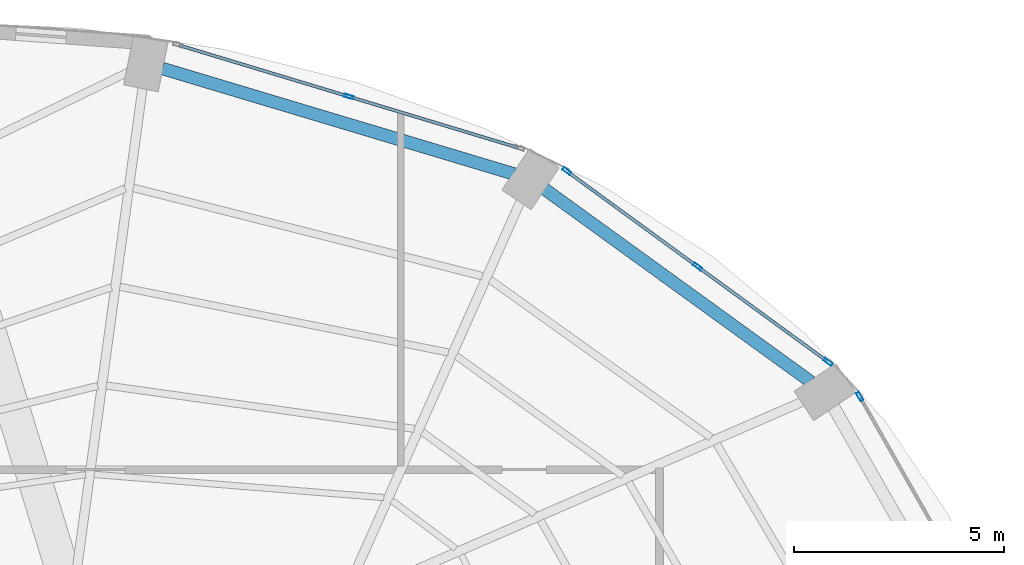
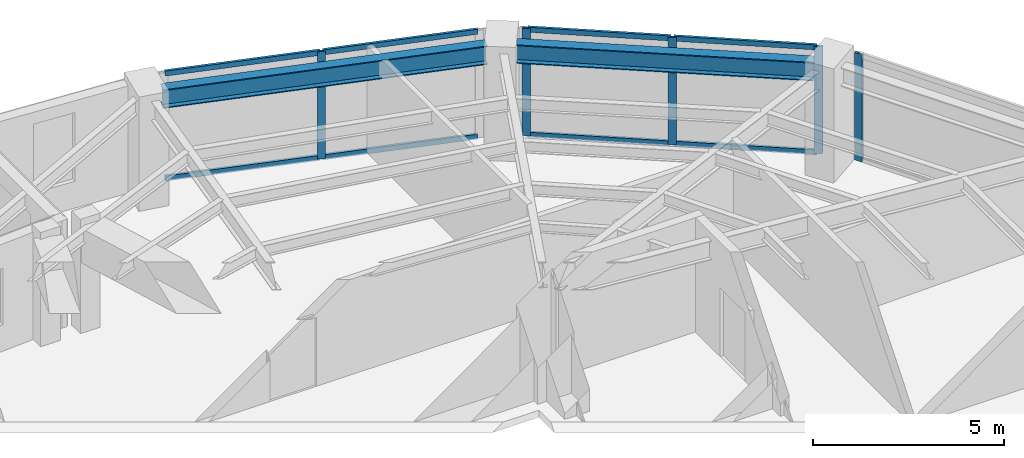
# One storey, part 17 of 23: 13 members, 2 beams, 3 elements without a shape of their own.
"""IFC4 building model written with IfcOpenShell, lengths in metres."""

from ifc_helpers import new_model, si_unit, direction, frame, origin, origin_2d, place, context, subcontext, project, spatial, hollow_rectangle, i_section, extrude, material, layer, layer_set, material_profile, profile_set, type_object, element, aggregate, save


model = new_model("IFC4")

# Units and contexts
model_context = context("Model", 3, precision=1e-05, world=origin(), true_north=direction((0.0, 1.0)))
body_context = subcontext(model_context, "Body", "Model", "MODEL_VIEW")
ifc_project = project(units=[si_unit("LENGTHUNIT", "METRE"), si_unit("AREAUNIT", "SQUARE_METRE"), si_unit("VOLUMEUNIT", "CUBIC_METRE"), si_unit("PLANEANGLEUNIT", "RADIAN"), si_unit("MASSUNIT", "GRAM", prefix="KILO")], contexts=[model_context])

# Site, building, storey
site_placement = place(None, origin())
site = spatial("IfcSite", under=ifc_project, at=site_placement, CompositionType="ELEMENT")
building_placement = place(site_placement, origin())
building = spatial("IfcBuilding", under=site, at=building_placement, Name="Lazwardi Medical Tower", CompositionType="ELEMENT")
storey_placement = place(building_placement, frame((0.0, 0.0, 121.8720703125)))
storey = spatial("IfcBuildingStorey", under=building, at=storey_placement, Name="L31", CompositionType="ELEMENT", Elevation=121.8720703125)

# Beams
ifc_material_1 = material(Name="Steel S355", Category="steel")
ifc_material_profile_1 = material_profile(ifc_material_1, i_section(OverallWidth=0.300048828125, OverallDepth=0.60009765625, WebThickness=0.015380859375, FlangeThickness=0.030029296875, at=origin_2d()), Name="HEB 600")
ifc_profile_set_1 = profile_set([ifc_material_profile_1], Name="Steel S355")
beam_type = type_object("IfcBeamType", Name="BM-RB-Z2", PredefinedType="BEAM", material=ifc_profile_set_1)
beam_1_placement = place(storey_placement, frame((56.74560546875, 40.835205078125, 3.1279296875), z_axis=(-0.81005674773, 0.586351486275, 0.0), x_axis=(-0.586351486275, -0.81005674773, 0.0)))
element("IfcBeam", 1, at=beam_1_placement, inside=storey, type_object=beam_type, Name="Ring beam RB-03 B06 L31", PredefinedType="BEAM", context=body_context, shape_type="SweptSolid", body=[
    extrude(i_section(OverallWidth=0.300048828125, OverallDepth=0.60009765625, WebThickness=0.015380859375, FlangeThickness=0.030029296875, at=origin_2d()), origin(), (0.0, 0.0, 1.0), 7.81396484375),
])
beam_2_placement = place(storey_placement, frame((49.69091796875, 45.775390625, 3.1279296875), z_axis=(-0.957879438442, 0.287170648587, 0.0), x_axis=(-0.287170648587, -0.957879438442, 0.0)))
element("IfcBeam", 2, at=beam_2_placement, inside=storey, type_object=beam_type, Name="Ring beam RB-03 B07 L31", PredefinedType="BEAM", context=body_context, shape_type="SweptSolid", body=[
    extrude(i_section(OverallWidth=0.300048828125, OverallDepth=0.60009765625, WebThickness=0.015380859375, FlangeThickness=0.030029296875, at=origin_2d()), origin(), (0.0, 0.0, 1.0), 8.719970703125),
])

# Curtain wall, member
ifc_material_2 = material(Name="Anodised bronze aluminium and solar control glazing", Category="aluminium")
ifc_layer = layer(ifc_material_2, 0.195068359375)
ifc_layer_set = layer_set([ifc_layer], Name="Anodised bronze aluminium and solar control glazing")
curtain_wall_type = type_object("IfcCurtainWallType", Name="CW-SYS-03", PredefinedType="NOTDEFINED", material=ifc_layer_set)
curtain_wall_1_placement = place(storey_placement, origin())
curtain_wall_1 = element("IfcCurtainWall", 3, at=curtain_wall_1_placement, inside=storey, type_object=curtain_wall_type, Name="L31 Unitised bronze curtain wall CW-03", PredefinedType="NOTDEFINED")
ifc_material_3 = material(Name="Anodised bronze aluminium", Category="aluminium")
ifc_material_profile_2 = material_profile(ifc_material_3, hollow_rectangle(XDim=0.074951171875, YDim=0.219970703125, WallThickness=0.00390625, at=origin_2d()), Name="ALU-MULLION 220x75x4")
ifc_profile_set_2 = profile_set([ifc_material_profile_2], Name="Anodised bronze aluminium")
member_type_1 = type_object("IfcMemberType", Name="CW-MUL-01", PredefinedType="MULLION", material=ifc_profile_set_2)
member_1_placement = place(storey_placement, frame((57.9072265625, 40.48583984375, 0.0), z_axis=(0.0, 0.0, 1.0), x_axis=(-0.869687265712, -0.493603140041, 0.0)))
member_1 = element("IfcMember", 4, at=member_1_placement, type_object=member_type_1, Name="CW-03 mullion 2", PredefinedType="MULLION", context=body_context, shape_type="SweptSolid", body=[
    extrude(hollow_rectangle(XDim=0.074951171875, YDim=0.219970703125, WallThickness=0.00390625, at=origin_2d()), origin(), (0.0, 0.0, 1.0), 3.427978515625),
])
aggregate(curtain_wall_1, [member_1])

# Curtain wall, members
curtain_wall_2_placement = place(storey_placement, origin())
curtain_wall_2 = element("IfcCurtainWall", 5, at=curtain_wall_2_placement, inside=storey, type_object=curtain_wall_type, Name="L31 Unitised bronze curtain wall CW-03", PredefinedType="NOTDEFINED")
member_2_placement = place(storey_placement, frame((57.155029296875, 41.308837890625, 0.0), z_axis=(0.0, 0.0, 1.0), x_axis=(-0.589530882802, -0.807745837639, 0.0)))
member_2 = element("IfcMember", 6, at=member_2_placement, type_object=member_type_1, Name="CW-03 mullion 1", PredefinedType="MULLION", context=body_context, shape_type="SweptSolid", body=[
    extrude(hollow_rectangle(XDim=0.074951171875, YDim=0.219970703125, WallThickness=0.00390625, at=origin_2d()), origin(), (0.0, 0.0, 1.0), 3.427978515625),
])
member_3_placement = place(storey_placement, frame((54.051025390625, 43.57421875, 0.0), z_axis=(0.0, 0.0, 1.0), x_axis=(-0.589530882802, -0.807745837639, 0.0)))
member_3 = element("IfcMember", 7, at=member_3_placement, type_object=member_type_1, Name="CW-03 mullion 2", PredefinedType="MULLION", context=body_context, shape_type="SweptSolid", body=[
    extrude(hollow_rectangle(XDim=0.074951171875, YDim=0.219970703125, WallThickness=0.00390625, at=origin_2d()), origin(), (0.0, 0.0, 1.0), 3.427978515625),
])
member_4_placement = place(storey_placement, frame((50.947265625, 45.839599609375, 0.0), z_axis=(0.0, 0.0, 1.0), x_axis=(-0.589530882802, -0.807745837639, 0.0)))
member_4 = element("IfcMember", 8, at=member_4_placement, type_object=member_type_1, Name="CW-03 mullion 3", PredefinedType="MULLION", context=body_context, shape_type="SweptSolid", body=[
    extrude(hollow_rectangle(XDim=0.074951171875, YDim=0.219970703125, WallThickness=0.00390625, at=origin_2d()), origin(), (0.0, 0.0, 1.0), 3.427978515625),
])

# Curtain wall, member
curtain_wall_3_placement = place(storey_placement, origin())
curtain_wall_3 = element("IfcCurtainWall", 9, at=curtain_wall_3_placement, inside=storey, type_object=curtain_wall_type, Name="L31 Unitised bronze curtain wall CW-03", PredefinedType="NOTDEFINED")
member_5_placement = place(storey_placement, frame((45.769287109375, 47.613037109375, 0.0), z_axis=(0.0, 0.0, 1.0), x_axis=(-0.28937381157, -0.957216170558, 0.0)))
member_5 = element("IfcMember", 10, at=member_5_placement, type_object=member_type_1, Name="CW-03 mullion 2", PredefinedType="MULLION", context=body_context, shape_type="SweptSolid", body=[
    extrude(hollow_rectangle(XDim=0.074951171875, YDim=0.219970703125, WallThickness=0.00390625, at=origin_2d()), origin(), (0.0, 0.0, 1.0), 3.427978515625),
])

# Member
ifc_material_profile_3 = material_profile(ifc_material_3, hollow_rectangle(XDim=0.074951171875, YDim=0.159912109375, WallThickness=0.00390625, at=origin_2d()), Name="ALU-TRANSOM 160x75x4")
ifc_profile_set_3 = profile_set([ifc_material_profile_3], Name="Anodised bronze aluminium")
member_type_2 = type_object("IfcMemberType", Name="CW-TRN-01", PredefinedType="USERDEFINED", material=ifc_profile_set_3)
member_6_placement = place(storey_placement, frame((57.12451171875, 41.3310546875, 0.037353515625), z_axis=(-0.807731734271, 0.589550206049, 0.0), x_axis=(-0.589550206049, -0.807731734271, 0.0)))
member_6 = element("IfcMember", 11, at=member_6_placement, type_object=member_type_2, Name="CW-03 transom 1.1", ObjectType="TRANSOM", PredefinedType="USERDEFINED", context=body_context, shape_type="SweptSolid", body=[
    extrude(hollow_rectangle(XDim=0.074951171875, YDim=0.159912109375, WallThickness=0.00390625, at=origin_2d()), origin(), (0.0, 0.0, 1.0), 3.767578125),
])

member_7_placement = place(storey_placement, frame((57.12451171875, 41.3310546875, 3.390380859375), z_axis=(-0.807731734271, 0.589550206049, 0.0), x_axis=(-0.589550206049, -0.807731734271, 0.0)))
member_7 = element("IfcMember", 12, at=member_7_placement, type_object=member_type_2, Name="CW-03 transom 1.2", ObjectType="TRANSOM", PredefinedType="USERDEFINED", context=body_context, shape_type="SweptSolid", body=[
    extrude(hollow_rectangle(XDim=0.074951171875, YDim=0.159912109375, WallThickness=0.00390625, at=origin_2d()), origin(), (0.0, 0.0, 1.0), 3.767578125),
])

member_8_placement = place(storey_placement, frame((54.020751953125, 43.596435546875, 0.037353515625), z_axis=(-0.80776259199, 0.58950792614, 0.0), x_axis=(-0.58950792614, -0.80776259199, 0.0)))
member_8 = element("IfcMember", 13, at=member_8_placement, type_object=member_type_2, Name="CW-03 transom 2.1", ObjectType="TRANSOM", PredefinedType="USERDEFINED", context=body_context, shape_type="SweptSolid", body=[
    extrude(hollow_rectangle(XDim=0.074951171875, YDim=0.159912109375, WallThickness=0.00390625, at=origin_2d()), origin(), (0.0, 0.0, 1.0), 3.767578125),
])

member_9_placement = place(storey_placement, frame((54.020751953125, 43.596435546875, 3.390380859375), z_axis=(-0.80776259199, 0.58950792614, 0.0), x_axis=(-0.58950792614, -0.80776259199, 0.0)))
member_9 = element("IfcMember", 14, at=member_9_placement, type_object=member_type_2, Name="CW-03 transom 2.2", ObjectType="TRANSOM", PredefinedType="USERDEFINED", context=body_context, shape_type="SweptSolid", body=[
    extrude(hollow_rectangle(XDim=0.074951171875, YDim=0.159912109375, WallThickness=0.00390625, at=origin_2d()), origin(), (0.0, 0.0, 1.0), 3.767578125),
])

aggregate(curtain_wall_2, [member_2, member_3, member_4, member_6, member_7, member_8, member_9])

member_10_placement = place(storey_placement, frame((49.79248046875, 46.396728515625, 0.037353515625), z_axis=(-0.957204630929, 0.289411980623, 0.0), x_axis=(-0.289411980623, -0.957204630929, 0.0)))
member_10 = element("IfcMember", 15, at=member_10_placement, type_object=member_type_2, Name="CW-03 transom 1.1", ObjectType="TRANSOM", PredefinedType="USERDEFINED", context=body_context, shape_type="SweptSolid", body=[
    extrude(hollow_rectangle(XDim=0.074951171875, YDim=0.159912109375, WallThickness=0.00390625, at=origin_2d()), origin(), (0.0, 0.0, 1.0), 4.16552734375),
])

member_11_placement = place(storey_placement, frame((49.79248046875, 46.396728515625, 3.390380859375), z_axis=(-0.957204630929, 0.289411980623, 0.0), x_axis=(-0.289411980623, -0.957204630929, 0.0)))
member_11 = element("IfcMember", 16, at=member_11_placement, type_object=member_type_2, Name="CW-03 transom 1.2", ObjectType="TRANSOM", PredefinedType="USERDEFINED", context=body_context, shape_type="SweptSolid", body=[
    extrude(hollow_rectangle(XDim=0.074951171875, YDim=0.159912109375, WallThickness=0.00390625, at=origin_2d()), origin(), (0.0, 0.0, 1.0), 4.16552734375),
])

member_12_placement = place(storey_placement, frame((45.7333984375, 47.6240234375, 0.037353515625), z_axis=(-0.957220865985, 0.289358279168, 0.0), x_axis=(-0.289358279168, -0.957220865985, 0.0)))
member_12 = element("IfcMember", 17, at=member_12_placement, type_object=member_type_2, Name="CW-03 transom 2.1", ObjectType="TRANSOM", PredefinedType="USERDEFINED", context=body_context, shape_type="SweptSolid", body=[
    extrude(hollow_rectangle(XDim=0.074951171875, YDim=0.159912109375, WallThickness=0.00390625, at=origin_2d()), origin(), (0.0, 0.0, 1.0), 4.16552734375),
])

member_13_placement = place(storey_placement, frame((45.7333984375, 47.6240234375, 3.390380859375), z_axis=(-0.957220865985, 0.289358279168, 0.0), x_axis=(-0.289358279168, -0.957220865985, 0.0)))
member_13 = element("IfcMember", 18, at=member_13_placement, type_object=member_type_2, Name="CW-03 transom 2.2", ObjectType="TRANSOM", PredefinedType="USERDEFINED", context=body_context, shape_type="SweptSolid", body=[
    extrude(hollow_rectangle(XDim=0.074951171875, YDim=0.159912109375, WallThickness=0.00390625, at=origin_2d()), origin(), (0.0, 0.0, 1.0), 4.16552734375),
])

aggregate(curtain_wall_3, [member_5, member_10, member_11, member_12, member_13])

save(model, "model.ifc")
